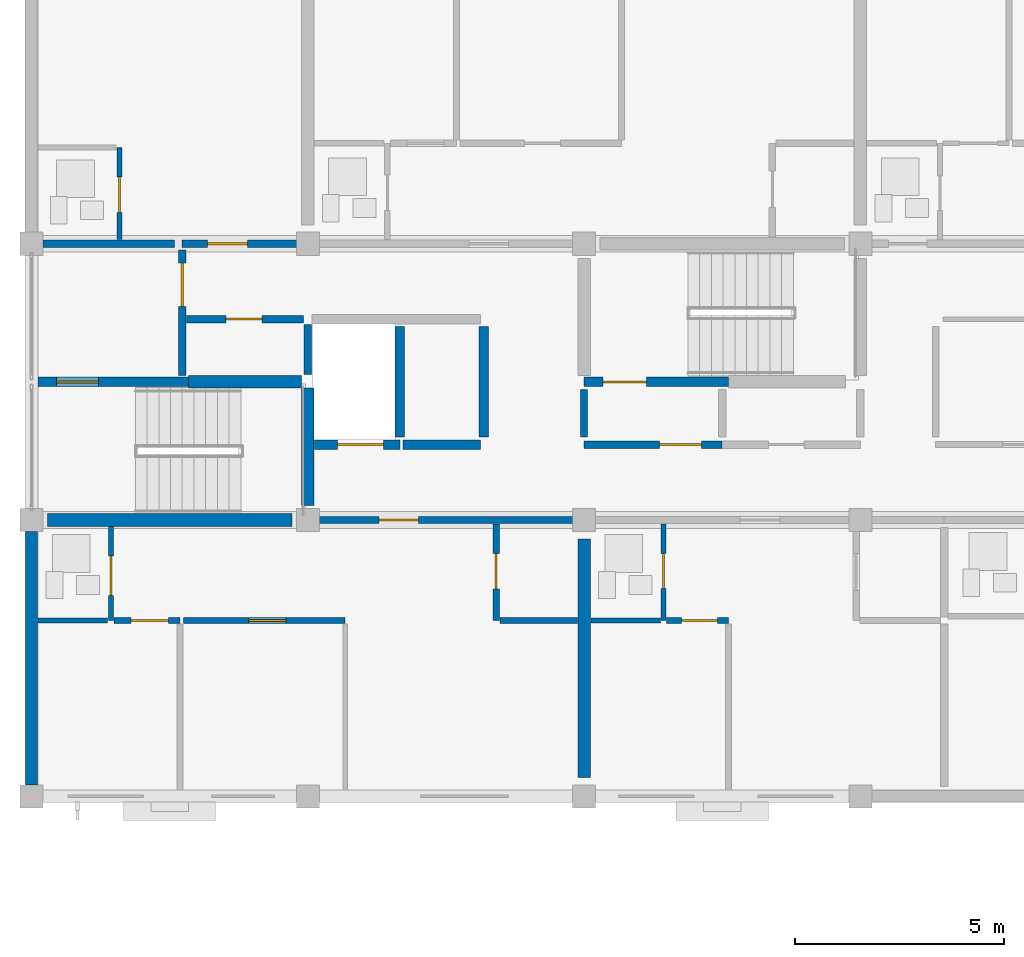
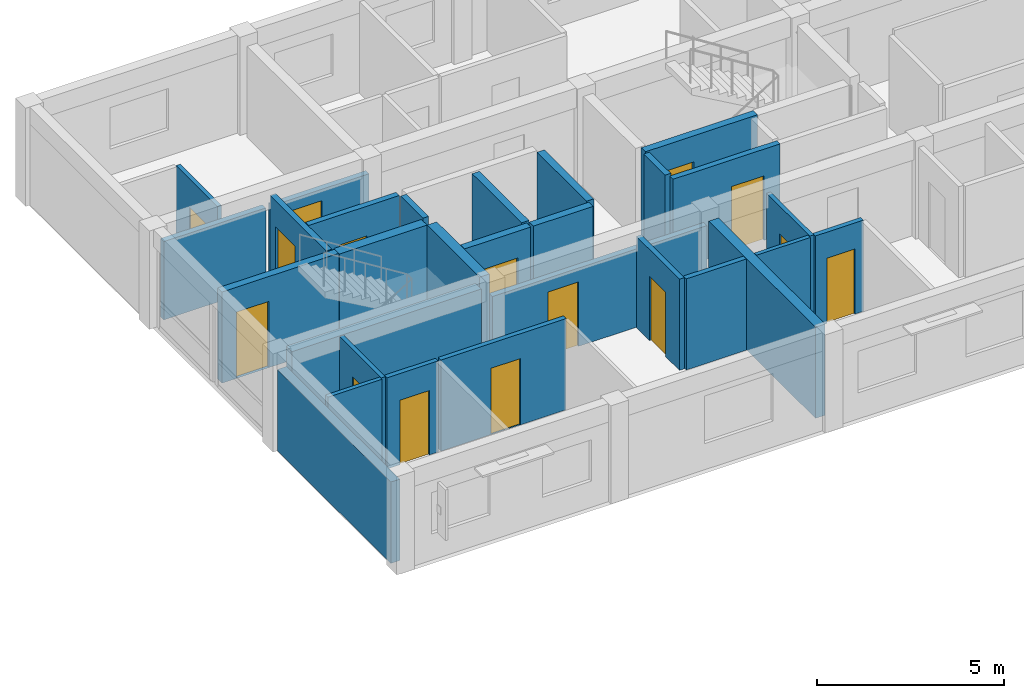
# One storey, part 31 of 49: 29 walls, 15 doors, 15 openings.
"""IFC4 building model written with IfcOpenShell, lengths in metres."""

from ifc_helpers import new_model, si_unit, direction, frame, frame_2d, origin, place, context, subcontext, project, spatial, rectangle, extrude, material, layer, layer_set, type_object, element, fill, save


model = new_model("IFC4")

# Units and contexts
model_context = context("Model", 3, precision=1e-05, world=origin(), true_north=direction((0.0, 1.0)))
body_context = subcontext(model_context, "Body", "Model", "MODEL_VIEW")
ifc_project = project(units=[si_unit("LENGTHUNIT", "METRE"), si_unit("AREAUNIT", "SQUARE_METRE"), si_unit("VOLUMEUNIT", "CUBIC_METRE"), si_unit("PLANEANGLEUNIT", "RADIAN"), si_unit("MASSUNIT", "GRAM", prefix="KILO")], contexts=[model_context])

# Site, building, storey
site_placement = place(None, origin())
site = spatial("IfcSite", under=ifc_project, at=site_placement, CompositionType="ELEMENT")
building_placement = place(site_placement, origin())
building = spatial("IfcBuilding", under=site, at=building_placement, Name="Kernevlak Ridge Housing Community", CompositionType="ELEMENT")
storey_placement = place(building_placement, frame((0.0, 0.0, 30.800048828125)))
storey = spatial("IfcBuildingStorey", under=building, at=storey_placement, Name="L09", CompositionType="ELEMENT", Elevation=30.800048828125)

# Wall
ifc_material_1 = material(Name="Concrete block masonry M10", Category="masonry")
ifc_layer_1 = layer(ifc_material_1, 0.280029296875, Name="Concrete block masonry M10")
ifc_layer_set_1 = layer_set([ifc_layer_1], Name="Concrete block masonry M10")
wall_type_1 = type_object("IfcWallType", Name="EW-03", PredefinedType="STANDARD", material=ifc_layer_set_1)
wall_1_placement = place(storey_placement, frame((15.60009765625, 76.27490234375, 0.0), z_axis=(0.0, 0.0, 1.0), x_axis=(0.0, 1.0, 0.0)))
element("IfcWall", 1, at=wall_1_placement, inside=storey, type_object=wall_type_1, Name="Exterior wall EW-03 L09 153", PredefinedType="STANDARD", context=body_context, shape_type="SweptSolid", body=[
    extrude(rectangle(XDim=6.050048828125, YDim=0.280029296875, at=frame_2d((3.02490234375, 0.0))), origin(), (0.0, 0.0, 1.0), 2.64990234375),
])

# Wall, opening, door
ifc_material_2 = material(Name="Concrete C35/45", Category="concrete")
ifc_layer_2 = layer(ifc_material_2, 0.22509765625, Name="Concrete C35/45")
ifc_layer_set_2 = layer_set([ifc_layer_2], Name="Concrete C35/45")
wall_type_2 = type_object("IfcWallType", Name="PW-01", PredefinedType="STANDARD", material=ifc_layer_set_2)
wall_2_placement = place(storey_placement, frame((15.75, 85.89990234375, 0.0), z_axis=(0.0, 0.0, 1.0), x_axis=(1.0, 0.0, 0.0)))
wall_2 = element("IfcWall", 2, at=wall_2_placement, inside=storey, type_object=wall_type_2, Name="Interior wall PW-01 WAL-INT-L09-0567", PredefinedType="STANDARD", context=body_context, shape_type="SweptSolid", body=[
    extrude(rectangle(XDim=3.60009765625, YDim=0.22509765625, at=frame_2d((1.800048828125, 0.0))), origin(), (0.0, 0.0, 1.0), 2.969970703125),
])
opening_1_placement = place(wall_2_placement, frame((0.449951171875, 0.0, 0.0)))
opening_1 = element("IfcOpeningElement", 3, at=opening_1_placement, cuts=wall_2, Name="Opening D287", PredefinedType="OPENING", context=body_context, shape_type="SweptSolid", body=[
    extrude(rectangle(XDim=1.0, YDim=2.159912109375, at=frame_2d((0.5, 1.080078125))), frame((0.0, 0.12255859375, 0.0), z_axis=(0.0, -1.0, 0.0), x_axis=(1.0, 0.0, 0.0)), (0.0, 0.0, 1.0), 0.2451171875),
])
ifc_material_3 = material(Name="Fire-rated sheet steel leaf", Category="steel")
door_type_1 = type_object("IfcDoorType", Name="DT-15", OperationType="NOTDEFINED", PredefinedType="DOOR", material=ifc_material_3)
door_1_placement = place(opening_1_placement, origin())
door_1 = element("IfcDoor", 4, at=door_1_placement, inside=storey, type_object=door_type_1, Name="Block A Stair 1 fire door D287", OperationType="SINGLE_SWING_LEFT", OverallHeight=2.159912109375, OverallWidth=1.0, PredefinedType="DOOR", context=body_context, shape_type="SweptSolid", body=[
    extrude(rectangle(XDim=1.0, YDim=2.159912109375, at=frame_2d((0.5, 1.080078125))), frame((0.0, 0.02490234375, 0.0), z_axis=(0.0, -1.0, 0.0), x_axis=(1.0, 0.0, 0.0)), (0.0, 0.0, 1.0), 0.050048828125),
])
fill(opening_1, door_1)

wall_3_placement = place(storey_placement, frame((22.360107421875, 84.39990234375, 0.0), z_axis=(0.0, 0.0, 1.0), x_axis=(1.0, 0.0, 0.0)))
wall_3 = element("IfcWall", 5, at=wall_3_placement, inside=storey, type_object=wall_type_2, Name="Interior wall PW-01 WAL-INT-L09-0571", PredefinedType="STANDARD", context=body_context, shape_type="SweptSolid", body=[
    extrude(rectangle(XDim=2.039794921875, YDim=0.22509765625, at=frame_2d((1.02001953125, 0.0))), origin(), (0.0, 0.0, 1.0), 2.969970703125),
])
opening_2_placement = place(wall_3_placement, frame((0.550048828125, 0.0, 0.0)))
opening_2 = element("IfcOpeningElement", 6, at=opening_2_placement, cuts=wall_3, Name="Opening LD20", PredefinedType="OPENING", context=body_context, shape_type="SweptSolid", body=[
    extrude(rectangle(XDim=1.10009765625, YDim=2.10009765625, at=frame_2d((0.550048828125, 1.050048828125))), frame((0.0, 0.12255859375, 0.0), z_axis=(0.0, -1.0, 0.0), x_axis=(1.0, 0.0, 0.0)), (0.0, 0.0, 1.0), 0.2451171875),
])
ifc_material_4 = material(Name="Stainless steel EN 1.4401", Category="steel")
door_type_2 = type_object("IfcDoorType", Name="DT-LD1", OperationType="DOUBLE_DOOR_SLIDING", PredefinedType="DOOR", material=ifc_material_4)
door_2_placement = place(opening_2_placement, origin())
door_2 = element("IfcDoor", 7, at=door_2_placement, inside=storey, type_object=door_type_2, Name="Lift LF-A1 landing door LD20", OperationType="DOUBLE_DOOR_SLIDING", OverallHeight=2.10009765625, OverallWidth=1.10009765625, PredefinedType="DOOR", context=body_context, shape_type="SweptSolid", body=[
    extrude(rectangle(XDim=1.10009765625, YDim=2.10009765625, at=frame_2d((0.550048828125, 1.050048828125))), frame((0.0, 0.02490234375, 0.0), z_axis=(0.0, -1.0, 0.0), x_axis=(1.0, 0.0, 0.0)), (0.0, 0.0, 1.0), 0.050048828125),
])
fill(opening_2, door_2)

# Walls
wall_4_placement = place(storey_placement, frame((24.47998046875, 84.39990234375, 0.0), z_axis=(0.0, 0.0, 1.0), x_axis=(1.0, 0.0, 0.0)))
element("IfcWall", 8, at=wall_4_placement, inside=storey, type_object=wall_type_2, Name="Interior wall PW-01 WAL-INT-L09-0572", PredefinedType="STANDARD", context=body_context, shape_type="SweptSolid", body=[
    extrude(rectangle(XDim=1.840087890625, YDim=0.22509765625, at=frame_2d((0.919921875, 0.0))), origin(), (0.0, 0.0, 1.0), 2.969970703125),
])
for number, where, z_axis, x_axis, name in (
    (9, (24.39990234375, 84.580078125, 0.0), (0.0, 0.0, 1.0), (0.0, 1.0, 0.0), "Interior wall PW-01 WAL-INT-L09-0575"),
    (10, (26.39990234375, 84.580078125, 0.0), (0.0, 0.0, 1.0), (0.0, 1.0, 0.0), "Interior wall PW-01 WAL-INT-L09-0576"),
):
    element("IfcWall", number, at=place(storey_placement, frame(where, z_axis=z_axis, x_axis=x_axis)), inside=storey, type_object=wall_type_2, Name=name, PredefinedType="STANDARD", context=body_context, shape_type="SweptSolid", body=[
        extrude(rectangle(XDim=2.639892578125, YDim=0.22509765625, at=frame_2d((1.31982421875, 0.0))), origin(), (0.0, 0.0, 1.0), 2.969970703125),
    ])

# Wall, opening, door
wall_5_placement = place(storey_placement, frame((28.800048828125, 85.89990234375, 0.0), z_axis=(0.0, 0.0, 1.0), x_axis=(1.0, 0.0, 0.0)))
wall_5 = element("IfcWall", 11, at=wall_5_placement, inside=storey, type_object=wall_type_2, Name="Interior wall PW-01 WAL-INT-L09-0577", PredefinedType="STANDARD", context=body_context, shape_type="SweptSolid", body=[
    extrude(rectangle(XDim=3.449951171875, YDim=0.22509765625, at=frame_2d((1.72509765625, 0.0))), origin(), (0.0, 0.0, 1.0), 2.969970703125),
])
opening_3_placement = place(wall_5_placement, frame((0.449951171875, 0.0, 0.0)))
opening_3 = element("IfcOpeningElement", 12, at=opening_3_placement, cuts=wall_5, Name="Opening D290", PredefinedType="OPENING", context=body_context, shape_type="SweptSolid", body=[
    extrude(rectangle(XDim=1.0400390625, YDim=2.1201171875, at=frame_2d((0.52001953125, 1.06005859375))), frame((0.0, 0.12255859375, 0.0), z_axis=(0.0, -1.0, 0.0), x_axis=(1.0, 0.0, 0.0)), (0.0, 0.0, 1.0), 0.2451171875),
])
door_type_3 = type_object("IfcDoorType", Name="DT-16", OperationType="NOTDEFINED", PredefinedType="DOOR", material=ifc_material_3)
door_3_placement = place(opening_3_placement, origin())
door_3 = element("IfcDoor", 13, at=door_3_placement, inside=storey, type_object=door_type_3, Name="Block A Stair 2 fire door D290", OperationType="SINGLE_SWING_RIGHT", OverallHeight=2.1201171875, OverallWidth=1.0400390625, PredefinedType="DOOR", context=body_context, shape_type="SweptSolid", body=[
    extrude(rectangle(XDim=1.0400390625, YDim=2.1201171875, at=frame_2d((0.52001953125, 1.06005859375))), frame((0.0, 0.02490234375, 0.0), z_axis=(0.0, -1.0, 0.0), x_axis=(1.0, 0.0, 0.0)), (0.0, 0.0, 1.0), 0.050048828125),
])
fill(opening_3, door_3)

ifc_layer_3 = layer(ifc_material_1, 0.175048828125, Name="Concrete block masonry M10")
ifc_layer_set_3 = layer_set([ifc_layer_3], Name="Concrete block masonry M10")
wall_type_3 = type_object("IfcWallType", Name="PW-02", PredefinedType="PARTITIONING", material=ifc_layer_set_3)
wall_6_placement = place(storey_placement, frame((19.199951171875, 86.050048828125, 0.0), z_axis=(0.0, 0.0, 1.0), x_axis=(0.0, 1.0, 0.0)))
wall_6 = element("IfcWall", 14, at=wall_6_placement, inside=storey, type_object=wall_type_3, Name="Interior wall PW-02 WAL-INT-L09-0568", PredefinedType="PARTITIONING", context=body_context, shape_type="SweptSolid", body=[
    extrude(rectangle(XDim=3.0, YDim=0.175048828125, at=frame_2d((1.5, 0.0))), origin(), (0.0, 0.0, 1.0), 2.969970703125),
])
opening_4_placement = place(wall_6_placement, frame((1.64990234375, 0.0, 0.0)))
opening_4 = element("IfcOpeningElement", 15, at=opening_4_placement, cuts=wall_6, Name="Opening D288", PredefinedType="OPENING", context=body_context, shape_type="SweptSolid", body=[
    extrude(rectangle(XDim=1.0400390625, YDim=2.1201171875, at=frame_2d((0.52001953125, 1.06005859375))), frame((0.0, 0.097412109375, 0.0), z_axis=(0.0, -1.0, 0.0), x_axis=(1.0, 0.0, 0.0)), (0.0, 0.0, 1.0), 0.195068359375),
])
door_4_placement = place(opening_4_placement, origin())
door_4 = element("IfcDoor", 16, at=door_4_placement, inside=storey, type_object=door_type_3, Name="Block A Firefighting lobby 1 door D288", OperationType="SINGLE_SWING_RIGHT", OverallHeight=2.1201171875, OverallWidth=1.0400390625, PredefinedType="DOOR", context=body_context, shape_type="SweptSolid", body=[
    extrude(rectangle(XDim=1.0400390625, YDim=2.1201171875, at=frame_2d((0.52001953125, 1.06005859375))), frame((0.0, 0.02490234375, 0.0), z_axis=(0.0, -1.0, 0.0), x_axis=(1.0, 0.0, 0.0)), (0.0, 0.0, 1.0), 0.050048828125),
])
fill(opening_4, door_4)

wall_7_placement = place(storey_placement, frame((19.300048828125, 87.39990234375, 0.0), z_axis=(0.0, 0.0, 1.0), x_axis=(1.0, 0.0, 0.0)))
wall_7 = element("IfcWall", 17, at=wall_7_placement, inside=storey, type_object=wall_type_3, Name="Interior wall PW-02 WAL-INT-L09-0569", PredefinedType="PARTITIONING", context=body_context, shape_type="SweptSolid", body=[
    extrude(rectangle(XDim=2.800048828125, YDim=0.175048828125, at=frame_2d((1.39990234375, 0.0))), origin(), (0.0, 0.0, 1.0), 2.969970703125),
])
opening_5_placement = place(wall_7_placement, frame((0.949951171875, 0.0, 0.0)))
opening_5 = element("IfcOpeningElement", 18, at=opening_5_placement, cuts=wall_7, Name="Opening D289", PredefinedType="OPENING", context=body_context, shape_type="SweptSolid", body=[
    extrude(rectangle(XDim=0.85009765625, YDim=2.0, at=frame_2d((0.425048828125, 1.0))), frame((0.0, 0.097412109375, 0.0), z_axis=(0.0, -1.0, 0.0), x_axis=(1.0, 0.0, 0.0)), (0.0, 0.0, 1.0), 0.195068359375),
])
door_type_4 = type_object("IfcDoorType", Name="DT-07", OperationType="NOTDEFINED", PredefinedType="DOOR", material=ifc_material_3)
door_5_placement = place(opening_5_placement, origin())
door_5 = element("IfcDoor", 19, at=door_5_placement, inside=storey, type_object=door_type_4, Name="Block A Riser shaft door D289", OperationType="SINGLE_SWING_LEFT", OverallHeight=2.0, OverallWidth=0.85009765625, PredefinedType="DOOR", context=body_context, shape_type="SweptSolid", body=[
    extrude(rectangle(XDim=0.85009765625, YDim=2.0, at=frame_2d((0.425048828125, 1.0))), frame((0.0, 0.02490234375, 0.0), z_axis=(0.0, -1.0, 0.0), x_axis=(1.0, 0.0, 0.0)), (0.0, 0.0, 1.0), 0.050048828125),
])
fill(opening_5, door_5)

# Wall
wall_8_placement = place(storey_placement, frame((22.199951171875, 86.080078125, 0.0), z_axis=(0.0, 0.0, 1.0), x_axis=(0.0, 1.0, 0.0)))
element("IfcWall", 20, at=wall_8_placement, inside=storey, type_object=wall_type_3, Name="Interior wall PW-02 WAL-INT-L09-0570", PredefinedType="PARTITIONING", context=body_context, shape_type="SweptSolid", body=[
    extrude(rectangle(XDim=1.18994140625, YDim=0.175048828125, at=frame_2d((0.594970703125, 0.0))), origin(), (0.0, 0.0, 1.0), 2.969970703125),
])

# Wall, opening, door
wall_9_placement = place(storey_placement, frame((28.800048828125, 84.39990234375, 0.0), z_axis=(0.0, 0.0, 1.0), x_axis=(1.0, 0.0, 0.0)))
wall_9 = element("IfcWall", 21, at=wall_9_placement, inside=storey, type_object=wall_type_3, Name="Interior wall PW-02 WAL-INT-L09-0578", PredefinedType="PARTITIONING", context=body_context, shape_type="SweptSolid", body=[
    extrude(rectangle(XDim=3.300048828125, YDim=0.175048828125, at=frame_2d((1.64990234375, 0.0))), origin(), (0.0, 0.0, 1.0), 2.969970703125),
])
opening_6_placement = place(wall_9_placement, frame((1.800048828125, 0.0, 0.0)))
opening_6 = element("IfcOpeningElement", 22, at=opening_6_placement, cuts=wall_9, Name="Opening D291", PredefinedType="OPENING", context=body_context, shape_type="SweptSolid", body=[
    extrude(rectangle(XDim=1.0, YDim=2.10009765625, at=frame_2d((0.5, 1.050048828125))), frame((0.0, 0.097412109375, 0.0), z_axis=(0.0, -1.0, 0.0), x_axis=(1.0, 0.0, 0.0)), (0.0, 0.0, 1.0), 0.195068359375),
])
door_type_5 = type_object("IfcDoorType", Name="DT-05", OperationType="NOTDEFINED", PredefinedType="DOOR", material=ifc_material_3)
door_6_placement = place(opening_6_placement, origin())
door_6 = element("IfcDoor", 23, at=door_6_placement, inside=storey, type_object=door_type_5, Name="Block A Firefighting lobby 2 door D291", OperationType="SINGLE_SWING_LEFT", OverallHeight=2.10009765625, OverallWidth=1.0, PredefinedType="DOOR", context=body_context, shape_type="SweptSolid", body=[
    extrude(rectangle(XDim=1.0, YDim=2.10009765625, at=frame_2d((0.5, 1.050048828125))), frame((0.0, 0.02490234375, 0.0), z_axis=(0.0, -1.0, 0.0), x_axis=(1.0, 0.0, 0.0)), (0.0, 0.0, 1.0), 0.050048828125),
])
fill(opening_6, door_6)

# Wall
wall_10_placement = place(storey_placement, frame((28.800048828125, 84.580078125, 0.0), z_axis=(0.0, 0.0, 1.0), x_axis=(0.0, 1.0, 0.0)))
element("IfcWall", 24, at=wall_10_placement, inside=storey, type_object=wall_type_3, Name="Interior wall PW-02 WAL-INT-L09-0580", PredefinedType="PARTITIONING", context=body_context, shape_type="SweptSolid", body=[
    extrude(rectangle(XDim=1.139892578125, YDim=0.175048828125, at=frame_2d((0.56982421875, 0.0))), origin(), (0.0, 0.0, 1.0), 2.969970703125),
])

# Wall, opening, door
wall_11_placement = place(storey_placement, frame((22.199951171875, 82.60009765625, 0.0), z_axis=(0.0, 0.0, 1.0), x_axis=(1.0, 0.0, 0.0)))
wall_11 = element("IfcWall", 25, at=wall_11_placement, inside=storey, type_object=wall_type_3, Name="Interior wall PW-02 WAL-INT-L09-0588", PredefinedType="PARTITIONING", context=body_context, shape_type="SweptSolid", body=[
    extrude(rectangle(XDim=6.60009765625, YDim=0.175048828125, at=frame_2d((3.300048828125, 0.0))), origin(), (0.0, 0.0, 1.0), 2.550048828125),
])
opening_7_placement = place(wall_11_placement, frame((1.699951171875, 0.0, 0.0)))
opening_7 = element("IfcOpeningElement", 26, at=opening_7_placement, cuts=wall_11, Name="Opening D295", PredefinedType="OPENING", context=body_context, shape_type="SweptSolid", body=[
    extrude(rectangle(XDim=0.949951171875, YDim=2.10009765625, at=frame_2d((0.47509765625, 1.050048828125))), frame((0.0, 0.097412109375, 0.0), z_axis=(0.0, -1.0, 0.0), x_axis=(1.0, 0.0, 0.0)), (0.0, 0.0, 1.0), 0.195068359375),
])
ifc_material_5 = material(Name="Hardwood timber solid-core fire leaf", Category="wood")
door_type_6 = type_object("IfcDoorType", Name="DT-01", OperationType="NOTDEFINED", PredefinedType="DOOR", material=ifc_material_5)
door_7_placement = place(opening_7_placement, origin())
door_7 = element("IfcDoor", 27, at=door_7_placement, inside=storey, type_object=door_type_6, Name="Flat A0911 entrance fire door D295", OperationType="SINGLE_SWING_LEFT", OverallHeight=2.10009765625, OverallWidth=0.949951171875, PredefinedType="DOOR", context=body_context, shape_type="SweptSolid", body=[
    extrude(rectangle(XDim=0.949951171875, YDim=2.10009765625, at=frame_2d((0.47509765625, 1.050048828125))), frame((0.0, 0.02490234375, 0.0), z_axis=(0.0, -1.0, 0.0), x_axis=(1.0, 0.0, 0.0)), (0.0, 0.0, 1.0), 0.050048828125),
])
fill(opening_7, door_7)

# Wall
wall_12_placement = place(storey_placement, frame((15.8798828125, 89.199951171875, 0.0), z_axis=(0.0, 0.0, 1.0), x_axis=(1.0, 0.0, 0.0)))
element("IfcWall", 28, at=wall_12_placement, inside=storey, type_object=wall_type_3, Name="Interior wall PW-02 WAL-INT-L09-0608", PredefinedType="PARTITIONING", context=body_context, shape_type="SweptSolid", body=[
    extrude(rectangle(XDim=3.14013671875, YDim=0.175048828125, at=frame_2d((1.570068359375, 0.0))), origin(), (0.0, 0.0, 1.0), 2.550048828125),
])

# Wall, opening, door
wall_13_placement = place(storey_placement, frame((19.199951171875, 89.199951171875, 0.0), z_axis=(0.0, 0.0, 1.0), x_axis=(1.0, 0.0, 0.0)))
wall_13 = element("IfcWall", 29, at=wall_13_placement, inside=storey, type_object=wall_type_3, Name="Interior wall PW-02 WAL-INT-L09-0609", PredefinedType="PARTITIONING", context=body_context, shape_type="SweptSolid", body=[
    extrude(rectangle(XDim=3.0, YDim=0.175048828125, at=frame_2d((1.5, 0.0))), origin(), (0.0, 0.0, 1.0), 2.550048828125),
])
opening_8_placement = place(wall_13_placement, frame((0.60009765625, 0.0, 0.0)))
opening_8 = element("IfcOpeningElement", 30, at=opening_8_placement, cuts=wall_13, Name="Opening D306", PredefinedType="OPENING", context=body_context, shape_type="SweptSolid", body=[
    extrude(rectangle(XDim=0.9599609375, YDim=2.179931640625, at=frame_2d((0.47998046875, 1.08984375))), frame((0.0, 0.097412109375, 0.0), z_axis=(0.0, -1.0, 0.0), x_axis=(1.0, 0.0, 0.0)), (0.0, 0.0, 1.0), 0.195068359375),
])
door_type_7 = type_object("IfcDoorType", Name="DT-29", OperationType="NOTDEFINED", PredefinedType="DOOR", material=ifc_material_5)
door_8_placement = place(opening_8_placement, origin())
door_8 = element("IfcDoor", 31, at=door_8_placement, inside=storey, type_object=door_type_7, Name="Flat A0921 entrance fire door D306", OperationType="SINGLE_SWING_RIGHT", OverallHeight=2.179931640625, OverallWidth=0.9599609375, PredefinedType="DOOR", context=body_context, shape_type="SweptSolid", body=[
    extrude(rectangle(XDim=0.9599609375, YDim=2.179931640625, at=frame_2d((0.47998046875, 1.08984375))), frame((0.0, 0.02490234375, 0.0), z_axis=(0.0, -1.0, 0.0), x_axis=(1.0, 0.0, 0.0)), (0.0, 0.0, 1.0), 0.050048828125),
])
fill(opening_8, door_8)

ifc_layer_4 = layer(ifc_material_1, 0.14501953125, Name="Concrete block masonry M10")
ifc_layer_set_4 = layer_set([ifc_layer_4], Name="Concrete block masonry M10")
wall_type_4 = type_object("IfcWallType", Name="PW-03", PredefinedType="PARTITIONING", material=ifc_layer_set_4)
wall_14_placement = place(storey_placement, frame((17.572509765625, 80.199951171875, 0.0), z_axis=(0.0, 0.0, 1.0), x_axis=(1.0, 0.0, 0.0)))
wall_14 = element("IfcWall", 32, at=wall_14_placement, inside=storey, type_object=wall_type_4, Name="Interior wall PW-03 WAL-INT-L09-0593", PredefinedType="PARTITIONING", context=body_context, shape_type="SweptSolid", body=[
    extrude(rectangle(XDim=1.577392578125, YDim=0.14501953125, at=frame_2d((0.78857421875, 0.0))), origin(), (0.0, 0.0, 1.0), 2.969970703125),
])
opening_9_placement = place(wall_14_placement, frame((0.39990234375, 0.0, 0.0)))
opening_9 = element("IfcOpeningElement", 33, at=opening_9_placement, cuts=wall_14, Name="Opening D298", PredefinedType="OPENING", context=body_context, shape_type="SweptSolid", body=[
    extrude(rectangle(XDim=0.89990234375, YDim=2.10009765625, at=frame_2d((0.449951171875, 1.050048828125))), frame((0.0, 0.08251953125, 0.0), z_axis=(0.0, -1.0, 0.0), x_axis=(1.0, 0.0, 0.0)), (0.0, 0.0, 1.0), 0.1650390625),
])
ifc_material_6 = material(Name="Hardwood timber leaf", Category="wood")
door_type_8 = type_object("IfcDoorType", Name="DT-21", OperationType="NOTDEFINED", PredefinedType="DOOR", material=ifc_material_6)
door_9_placement = place(opening_9_placement, origin())
door_9 = element("IfcDoor", 34, at=door_9_placement, inside=storey, type_object=door_type_8, Name="Flat A0911 bedroom door D298", OperationType="SINGLE_SWING_RIGHT", OverallHeight=2.10009765625, OverallWidth=0.89990234375, PredefinedType="DOOR", context=body_context, shape_type="SweptSolid", body=[
    extrude(rectangle(XDim=0.89990234375, YDim=2.10009765625, at=frame_2d((0.449951171875, 1.050048828125))), frame((0.0, 0.02490234375, 0.0), z_axis=(0.0, -1.0, 0.0), x_axis=(1.0, 0.0, 0.0)), (0.0, 0.0, 1.0), 0.050048828125),
])
fill(opening_9, door_9)

wall_15_placement = place(storey_placement, frame((19.232421875, 80.199951171875, 0.0), z_axis=(0.0, 0.0, 1.0), x_axis=(1.0, 0.0, 0.0)))
wall_15 = element("IfcWall", 35, at=wall_15_placement, inside=storey, type_object=wall_type_4, Name="Interior wall PW-03 WAL-INT-L09-0595", PredefinedType="PARTITIONING", context=body_context, shape_type="SweptSolid", body=[
    extrude(rectangle(XDim=3.859619140625, YDim=0.14501953125, at=frame_2d((1.9296875, 0.0))), origin(), (0.0, 0.0, 1.0), 2.969970703125),
])
opening_10_placement = place(wall_15_placement, frame((1.5458984375, 0.0, 0.0)))
opening_10 = element("IfcOpeningElement", 36, at=opening_10_placement, cuts=wall_15, Name="Opening D299", PredefinedType="OPENING", context=body_context, shape_type="SweptSolid", body=[
    extrude(rectangle(XDim=0.89990234375, YDim=2.159912109375, at=frame_2d((0.449951171875, 1.080078125))), frame((0.0, 0.08251953125, 0.0), z_axis=(0.0, -1.0, 0.0), x_axis=(1.0, 0.0, 0.0)), (0.0, 0.0, 1.0), 0.1650390625),
])
door_type_9 = type_object("IfcDoorType", Name="DT-22", OperationType="NOTDEFINED", PredefinedType="DOOR", material=ifc_material_6)
door_10_placement = place(opening_10_placement, origin())
door_10 = element("IfcDoor", 37, at=door_10_placement, inside=storey, type_object=door_type_9, Name="Flat A0911 bedroom door D299", OperationType="SINGLE_SWING_LEFT", OverallHeight=2.159912109375, OverallWidth=0.89990234375, PredefinedType="DOOR", context=body_context, shape_type="SweptSolid", body=[
    extrude(rectangle(XDim=0.89990234375, YDim=2.159912109375, at=frame_2d((0.449951171875, 1.080078125))), frame((0.0, 0.02490234375, 0.0), z_axis=(0.0, -1.0, 0.0), x_axis=(1.0, 0.0, 0.0)), (0.0, 0.0, 1.0), 0.050048828125),
])
fill(opening_10, door_10)

wall_16_placement = place(storey_placement, frame((30.7724609375, 80.199951171875, 0.0), z_axis=(0.0, 0.0, 1.0), x_axis=(1.0, 0.0, 0.0)))
wall_16 = element("IfcWall", 38, at=wall_16_placement, inside=storey, type_object=wall_type_4, Name="Interior wall PW-03 WAL-INT-L09-0602", PredefinedType="PARTITIONING", context=body_context, shape_type="SweptSolid", body=[
    extrude(rectangle(XDim=1.4775390625, YDim=0.14501953125, at=frame_2d((0.73876953125, 0.0))), origin(), (0.0, 0.0, 1.0), 2.969970703125),
])
opening_11_placement = place(wall_16_placement, frame((0.35009765625, 0.0, 0.0)))
opening_11 = element("IfcOpeningElement", 39, at=opening_11_placement, cuts=wall_16, Name="Opening D303", PredefinedType="OPENING", context=body_context, shape_type="SweptSolid", body=[
    extrude(rectangle(XDim=0.860107421875, YDim=2.1201171875, at=frame_2d((0.43017578125, 1.06005859375))), frame((0.0, 0.08251953125, 0.0), z_axis=(0.0, -1.0, 0.0), x_axis=(1.0, 0.0, 0.0)), (0.0, 0.0, 1.0), 0.1650390625),
])
door_type_10 = type_object("IfcDoorType", Name="DT-28", OperationType="NOTDEFINED", PredefinedType="DOOR", material=ifc_material_6)
door_11_placement = place(opening_11_placement, origin())
door_11 = element("IfcDoor", 40, at=door_11_placement, inside=storey, type_object=door_type_10, Name="Flat A0912 bedroom door D303", OperationType="SINGLE_SWING_LEFT", OverallHeight=2.1201171875, OverallWidth=0.860107421875, PredefinedType="DOOR", context=body_context, shape_type="SweptSolid", body=[
    extrude(rectangle(XDim=0.860107421875, YDim=2.1201171875, at=frame_2d((0.43017578125, 1.06005859375))), frame((0.0, 0.02490234375, 0.0), z_axis=(0.0, -1.0, 0.0), x_axis=(1.0, 0.0, 0.0)), (0.0, 0.0, 1.0), 0.050048828125),
])
fill(opening_11, door_11)

ifc_material_7 = material(Name="Gypsum plasterboard EN 520", Category="gypsum")
ifc_layer_5 = layer(ifc_material_7, 0.125, Name="Gypsum plasterboard EN 520")
ifc_layer_set_5 = layer_set([ifc_layer_5], Name="Gypsum plasterboard EN 520")
wall_type_5 = type_object("IfcWallType", Name="PW-04", PredefinedType="PARTITIONING", material=ifc_layer_set_5)
wall_17_placement = place(storey_placement, frame((17.5, 82.43994140625, 0.0), z_axis=(0.0, 0.0, 1.0), x_axis=(0.0, -1.0, 0.0)))
wall_17 = element("IfcWall", 41, at=wall_17_placement, inside=storey, type_object=wall_type_5, Name="Interior wall PW-04 WAL-INT-L09-0589", PredefinedType="PARTITIONING", context=body_context, shape_type="SweptSolid", body=[
    extrude(rectangle(XDim=2.239990234375, YDim=0.125, at=frame_2d((1.1201171875, 0.0))), origin(), (0.0, 0.0, 1.0), 2.969970703125),
])
opening_12_placement = place(wall_17_placement, frame((0.699951171875, 0.0, 0.0)))
opening_12 = element("IfcOpeningElement", 42, at=opening_12_placement, cuts=wall_17, Name="Opening D296", PredefinedType="OPENING", context=body_context, shape_type="SweptSolid", body=[
    extrude(rectangle(XDim=0.93994140625, YDim=2.080078125, at=frame_2d((0.469970703125, 1.0400390625))), frame((0.0, 0.072509765625, 0.0), z_axis=(0.0, -1.0, 0.0), x_axis=(1.0, 0.0, 0.0)), (0.0, 0.0, 1.0), 0.14501953125),
])
ifc_material_8 = material(Name="Hardwood timber moisture-resistant leaf", Category="wood")
door_type_11 = type_object("IfcDoorType", Name="DT-23", OperationType="NOTDEFINED", PredefinedType="DOOR", material=ifc_material_8)
door_12_placement = place(opening_12_placement, origin())
door_12 = element("IfcDoor", 43, at=door_12_placement, inside=storey, type_object=door_type_11, Name="Flat A0911 bathroom door D296", OperationType="SINGLE_SWING_RIGHT", OverallHeight=2.080078125, OverallWidth=0.93994140625, PredefinedType="DOOR", context=body_context, shape_type="SweptSolid", body=[
    extrude(rectangle(XDim=0.93994140625, YDim=2.080078125, at=frame_2d((0.469970703125, 1.0400390625))), frame((0.0, 0.02490234375, 0.0), z_axis=(0.0, -1.0, 0.0), x_axis=(1.0, 0.0, 0.0)), (0.0, 0.0, 1.0), 0.050048828125),
])
fill(opening_12, door_12)

# Wall
wall_18_placement = place(storey_placement, frame((15.75, 80.199951171875, 0.0), z_axis=(0.0, 0.0, 1.0), x_axis=(1.0, 0.0, 0.0)))
element("IfcWall", 44, at=wall_18_placement, inside=storey, type_object=wall_type_5, Name="Interior wall PW-04 WAL-INT-L09-0590", PredefinedType="PARTITIONING", context=body_context, shape_type="SweptSolid", body=[
    extrude(rectangle(XDim=1.669921875, YDim=0.125, at=frame_2d((0.8349609375, 0.0))), origin(), (0.0, 0.0, 1.0), 2.969970703125),
])

# Wall, opening, door
wall_19_placement = place(storey_placement, frame((30.699951171875, 82.50244140625, 0.0), z_axis=(0.0, 0.0, 1.0), x_axis=(0.0, -1.0, 0.0)))
wall_19 = element("IfcWall", 45, at=wall_19_placement, inside=storey, type_object=wall_type_5, Name="Interior wall PW-04 WAL-INT-L09-0598", PredefinedType="PARTITIONING", context=body_context, shape_type="SweptSolid", body=[
    extrude(rectangle(XDim=2.302490234375, YDim=0.125, at=frame_2d((1.1513671875, 0.0))), origin(), (0.0, 0.0, 1.0), 2.969970703125),
])
opening_13_placement = place(wall_19_placement, frame((0.699951171875, 0.0, 0.0)))
opening_13 = element("IfcOpeningElement", 46, at=opening_13_placement, cuts=wall_19, Name="Opening D301", PredefinedType="OPENING", context=body_context, shape_type="SweptSolid", body=[
    extrude(rectangle(XDim=0.840087890625, YDim=2.06005859375, at=frame_2d((0.419921875, 1.030029296875))), frame((0.0, 0.072509765625, 0.0), z_axis=(0.0, -1.0, 0.0), x_axis=(1.0, 0.0, 0.0)), (0.0, 0.0, 1.0), 0.14501953125),
])
door_type_12 = type_object("IfcDoorType", Name="DT-27", OperationType="NOTDEFINED", PredefinedType="DOOR", material=ifc_material_8)
door_13_placement = place(opening_13_placement, origin())
door_13 = element("IfcDoor", 47, at=door_13_placement, inside=storey, type_object=door_type_12, Name="Flat A0912 bathroom door D301", OperationType="SINGLE_SWING_LEFT", OverallHeight=2.06005859375, OverallWidth=0.840087890625, PredefinedType="DOOR", context=body_context, shape_type="SweptSolid", body=[
    extrude(rectangle(XDim=0.840087890625, YDim=2.06005859375, at=frame_2d((0.419921875, 1.030029296875))), frame((0.0, 0.02490234375, 0.0), z_axis=(0.0, -1.0, 0.0), x_axis=(1.0, 0.0, 0.0)), (0.0, 0.0, 1.0), 0.050048828125),
])
fill(opening_13, door_13)

# Wall
wall_20_placement = place(storey_placement, frame((28.9599609375, 80.199951171875, 0.0), z_axis=(0.0, 0.0, 1.0), x_axis=(1.0, 0.0, 0.0)))
element("IfcWall", 48, at=wall_20_placement, inside=storey, type_object=wall_type_5, Name="Interior wall PW-04 WAL-INT-L09-0599", PredefinedType="PARTITIONING", context=body_context, shape_type="SweptSolid", body=[
    extrude(rectangle(XDim=1.66015625, YDim=0.125, at=frame_2d((0.830078125, 0.0))), origin(), (0.0, 0.0, 1.0), 2.969970703125),
])

# Wall, opening, door
wall_21_placement = place(storey_placement, frame((17.699951171875, 89.297607421875, 0.0), z_axis=(0.0, 0.0, 1.0), x_axis=(0.0, 1.0, 0.0)))
wall_21 = element("IfcWall", 49, at=wall_21_placement, inside=storey, type_object=wall_type_5, Name="Interior wall PW-04 WAL-INT-L09-0610", PredefinedType="PARTITIONING", context=body_context, shape_type="SweptSolid", body=[
    extrude(rectangle(XDim=2.202392578125, YDim=0.125, at=frame_2d((1.10107421875, 0.0))), origin(), (0.0, 0.0, 1.0), 2.969970703125),
])
opening_14_placement = place(wall_21_placement, frame((0.64990234375, 0.0, 0.0)))
opening_14 = element("IfcOpeningElement", 50, at=opening_14_placement, cuts=wall_21, Name="Opening D307", PredefinedType="OPENING", context=body_context, shape_type="SweptSolid", body=[
    extrude(rectangle(XDim=0.85009765625, YDim=2.0400390625, at=frame_2d((0.425048828125, 1.02001953125))), frame((0.0, 0.072509765625, 0.0), z_axis=(0.0, -1.0, 0.0), x_axis=(1.0, 0.0, 0.0)), (0.0, 0.0, 1.0), 0.14501953125),
])
door_type_13 = type_object("IfcDoorType", Name="DT-04", OperationType="NOTDEFINED", PredefinedType="DOOR", material=ifc_material_8)
door_14_placement = place(opening_14_placement, origin())
door_14 = element("IfcDoor", 51, at=door_14_placement, inside=storey, type_object=door_type_13, Name="Flat A0921 bathroom door D307", OperationType="SINGLE_SWING_LEFT", OverallHeight=2.0400390625, OverallWidth=0.85009765625, PredefinedType="DOOR", context=body_context, shape_type="SweptSolid", body=[
    extrude(rectangle(XDim=0.85009765625, YDim=2.0400390625, at=frame_2d((0.425048828125, 1.02001953125))), frame((0.0, 0.02490234375, 0.0), z_axis=(0.0, -1.0, 0.0), x_axis=(1.0, 0.0, 0.0)), (0.0, 0.0, 1.0), 0.050048828125),
])
fill(opening_14, door_14)

ifc_layer_6 = layer(ifc_material_7, 0.155029296875, Name="Gypsum plasterboard EN 520")
ifc_layer_set_6 = layer_set([ifc_layer_6], Name="Gypsum plasterboard EN 520")
wall_type_6 = type_object("IfcWallType", Name="PW-05", PredefinedType="PARTITIONING", material=ifc_layer_set_6)
wall_22_placement = place(storey_placement, frame((26.699951171875, 82.50244140625, 0.0), z_axis=(0.0, 0.0, 1.0), x_axis=(0.0, -1.0, 0.0)))
wall_22 = element("IfcWall", 52, at=wall_22_placement, inside=storey, type_object=wall_type_6, Name="Interior wall PW-05 WAL-INT-L09-0591", PredefinedType="PARTITIONING", context=body_context, shape_type="SweptSolid", body=[
    extrude(rectangle(XDim=2.302490234375, YDim=0.155029296875, at=frame_2d((1.1513671875, 0.0))), origin(), (0.0, 0.0, 1.0), 2.969970703125),
])
opening_15_placement = place(wall_22_placement, frame((0.699951171875, 0.0, 0.0)))
opening_15 = element("IfcOpeningElement", 53, at=opening_15_placement, cuts=wall_22, Name="Opening D297", PredefinedType="OPENING", context=body_context, shape_type="SweptSolid", body=[
    extrude(rectangle(XDim=0.85009765625, YDim=2.10009765625, at=frame_2d((0.425048828125, 1.050048828125))), frame((0.0, 0.08740234375, 0.0), z_axis=(0.0, -1.0, 0.0), x_axis=(1.0, 0.0, 0.0)), (0.0, 0.0, 1.0), 0.175048828125),
])
door_type_14 = type_object("IfcDoorType", Name="DT-03", OperationType="NOTDEFINED", PredefinedType="DOOR", material=ifc_material_6)
door_15_placement = place(opening_15_placement, origin())
door_15 = element("IfcDoor", 54, at=door_15_placement, inside=storey, type_object=door_type_14, Name="Flat A0911 kitchen door D297", OperationType="SINGLE_SWING_LEFT", OverallHeight=2.10009765625, OverallWidth=0.85009765625, PredefinedType="DOOR", context=body_context, shape_type="SweptSolid", body=[
    extrude(rectangle(XDim=0.85009765625, YDim=2.10009765625, at=frame_2d((0.425048828125, 1.050048828125))), frame((0.0, 0.02490234375, 0.0), z_axis=(0.0, -1.0, 0.0), x_axis=(1.0, 0.0, 0.0)), (0.0, 0.0, 1.0), 0.050048828125),
])
fill(opening_15, door_15)

# Walls
wall_23_placement = place(storey_placement, frame((26.78759765625, 80.199951171875, 0.0), z_axis=(0.0, 0.0, 1.0), x_axis=(1.0, 0.0, 0.0)))
element("IfcWall", 55, at=wall_23_placement, inside=storey, type_object=wall_type_6, Name="Interior wall PW-05 WAL-INT-L09-0592", PredefinedType="PARTITIONING", context=body_context, shape_type="SweptSolid", body=[
    extrude(rectangle(XDim=1.852294921875, YDim=0.155029296875, at=frame_2d((0.92626953125, 0.0))), origin(), (0.0, 0.0, 1.0), 2.969970703125),
])
ifc_material_9 = material(Name="Concrete C40/50", Category="concrete")
ifc_layer_7 = layer(ifc_material_9, 0.300048828125, Name="Concrete C40/50")
ifc_layer_set_7 = layer_set([ifc_layer_7], Name="Concrete C40/50")
wall_type_7 = type_object("IfcWallType", Name="SW-02", PredefinedType="SHEAR", material=ifc_layer_set_7)
wall_24_placement = place(storey_placement, frame((15.97998046875, 82.60009765625, 0.0), z_axis=(0.0, 0.0, 1.0), x_axis=(1.0, 0.0, 0.0)))
element("IfcWall", 56, at=wall_24_placement, inside=storey, type_object=wall_type_7, Name="Shear wall SW-02 Block A L09 101", PredefinedType="SHEAR", context=body_context, shape_type="SweptSolid", body=[
    extrude(rectangle(XDim=5.840087890625, YDim=0.300048828125, at=frame_2d((2.919921875, 0.0))), origin(), (0.0, 0.0, 1.0), 2.969970703125),
])
wall_25_placement = place(storey_placement, frame((19.35009765625, 85.89990234375, 0.0), z_axis=(0.0, 0.0, 1.0), x_axis=(1.0, 0.0, 0.0)))
element("IfcWall", 57, at=wall_25_placement, inside=storey, type_object=wall_type_7, Name="Shear wall SW-02 Block A L09 102", PredefinedType="SHEAR", context=body_context, shape_type="SweptSolid", body=[
    extrude(rectangle(XDim=2.699951171875, YDim=0.300048828125, at=frame_2d((1.35009765625, 0.0))), origin(), (0.0, 0.0, 1.0), 2.969970703125),
])
wall_26_placement = place(storey_placement, frame((22.199951171875, 82.949951171875, 0.0), z_axis=(0.0, 0.0, 1.0), x_axis=(0.0, 1.0, 0.0)))
element("IfcWall", 58, at=wall_26_placement, inside=storey, type_object=wall_type_7, Name="Shear wall SW-02 Block A L09 103", PredefinedType="SHEAR", context=body_context, shape_type="SweptSolid", body=[
    extrude(rectangle(XDim=2.800048828125, YDim=0.300048828125, at=frame_2d((1.39990234375, 0.0))), origin(), (0.0, 0.0, 1.0), 2.969970703125),
])
wall_27_placement = place(storey_placement, frame((28.800048828125, 76.449951171875, 0.0), z_axis=(0.0, 0.0, 1.0), x_axis=(0.0, 1.0, 0.0)))
element("IfcWall", 59, at=wall_27_placement, inside=storey, type_object=wall_type_7, Name="Shear wall SW-02 Block A L09 108", PredefinedType="SHEAR", context=body_context, shape_type="SweptSolid", body=[
    extrude(rectangle(XDim=5.699951171875, YDim=0.300048828125, at=frame_2d((2.85009765625, 0.0))), origin(), (0.0, 0.0, 1.0), 2.969970703125),
])

save(model, "model.ifc")
